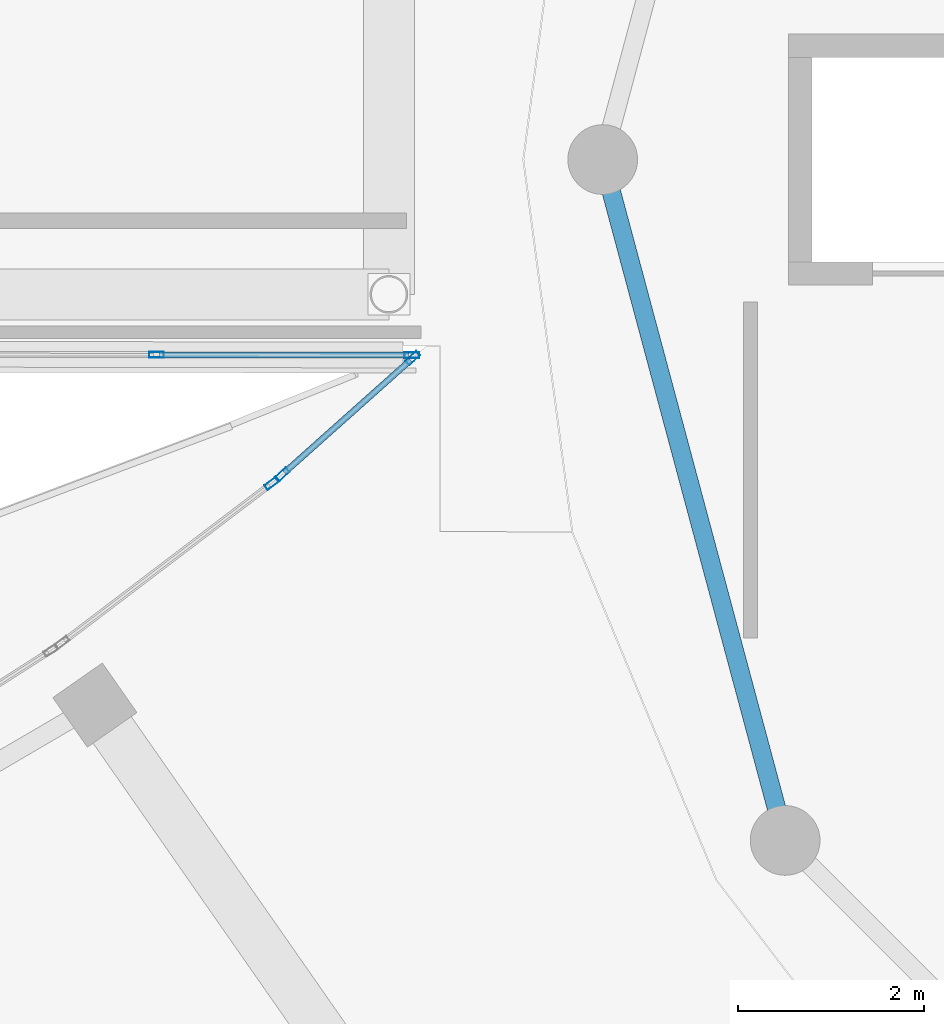
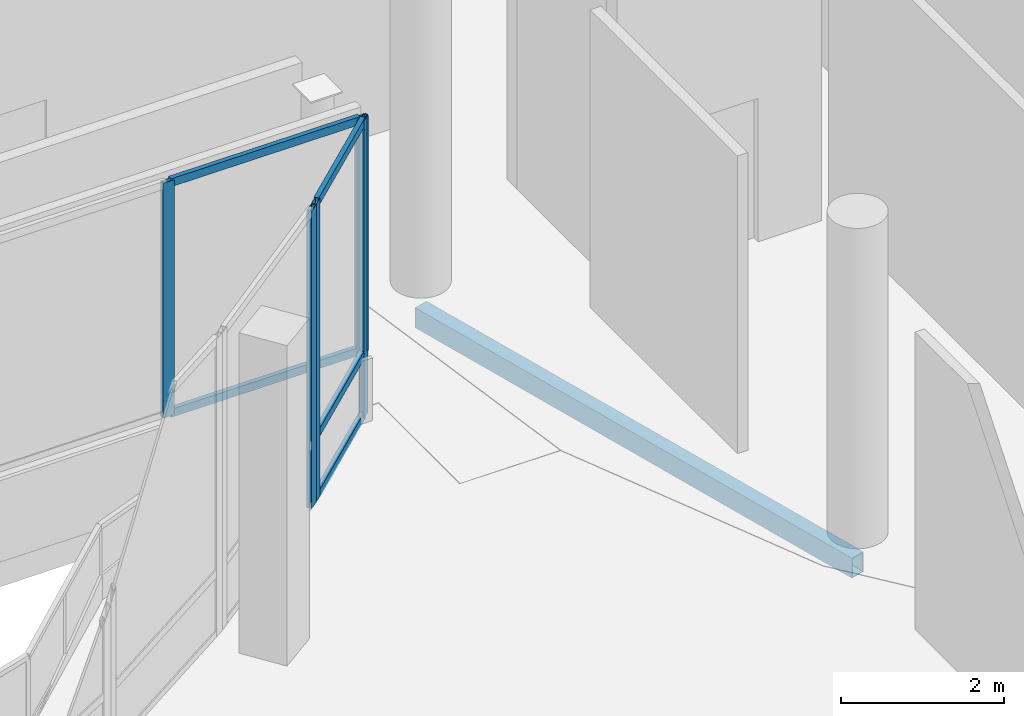
# One storey, part 46 of 155: 10 members, 1 beam, 3 elements without a shape of their own.
"""IFC4 building model written with IfcOpenShell, lengths in metres."""

import ifcopenshell
import ifcopenshell.guid

model = None  # the IFC model being written
_history = None  # IfcOwnerHistory: only IFC2X3 demands one
_inside = {}  # id of a spatial element -> (the spatial element, [elements in it])
_under = {}  # id of a project, library or spatial element -> (it, [spatial elements below it])
_declared = {}  # id of a project -> (the project, [libraries it declares])
_typed = {}  # id of a type object -> (the type object, [elements of that type])
_made_of = {}  # id of a material, layer set ... -> (it, [elements and type objects made of it])


def new_model(schema):
    """Start an empty IFC model of exactly this schema.

    Asked for "IFC4X3", IfcOpenShell would pick the latest addendum, in which some entities
    have other attributes; the version numbers below select the first issue.
    IFC2X3 requires an IfcOwnerHistory on every rooted entity: one is made here for all.
    """
    global model, _history
    if schema == "IFC4X3":
        model = ifcopenshell.file(schema_version=(4, 3, 0, 0))
    else:
        model = ifcopenshell.file(schema=schema)
    _inside.clear()
    _under.clear()
    _declared.clear()
    _typed.clear()
    _made_of.clear()
    _history = None
    if model.schema == "IFC2X3":
        org = make("IfcOrganization", Name="unknown")
        user = make(
            "IfcPersonAndOrganization",
            ThePerson=make("IfcPerson", FamilyName="unknown"),
            TheOrganization=org,
        )
        app = make(
            "IfcApplication",
            ApplicationDeveloper=org,
            Version="unknown",
            ApplicationFullName="unknown",
            ApplicationIdentifier="unknown",
        )
        _history = make(
            "IfcOwnerHistory",
            OwningUser=user,
            OwningApplication=app,
            ChangeAction="ADDED",
            CreationDate=0,
        )
    return model


def make(cls, **values):
    """One entity of the class cls with the attributes given. An attribute that is None is left unset."""
    return model.create_entity(
        cls, **{name: value for name, value in values.items() if value is not None}
    )


def rooted(cls, **values):
    """An entity with a GlobalId (a new one), such as an element, a storey or a relation."""
    return make(cls, GlobalId=ifcopenshell.guid.new(), OwnerHistory=_history, **values)


def si_unit(unit_type, name, prefix=None):
    """IfcSIUnit, for example si_unit("LENGTHUNIT", "METRE", prefix="MILLI")."""
    return make("IfcSIUnit", UnitType=unit_type, Prefix=prefix, Name=name)


def assignment(units):
    """IfcUnitAssignment: the units of a project."""
    return None if units is None else make("IfcUnitAssignment", Units=units)


def point(xyz):
    """IfcCartesianPoint."""
    return None if xyz is None else make("IfcCartesianPoint", Coordinates=xyz)


def direction(xyz):
    """IfcDirection."""
    return None if xyz is None else make("IfcDirection", DirectionRatios=xyz)


def frame(location, z_axis=None, x_axis=None):
    """IfcAxis2Placement3D, a coordinate frame: its origin and axes. An axis left out is left unset."""
    return make(
        "IfcAxis2Placement3D",
        Location=point(location),
        Axis=direction(z_axis),
        RefDirection=direction(x_axis),
    )


def frame_2d(location, x_axis=None):
    """IfcAxis2Placement2D, a coordinate frame in the plane: its origin and x axis."""
    return make(
        "IfcAxis2Placement2D", Location=point(location), RefDirection=direction(x_axis)
    )


def origin():
    """The frame at (0, 0, 0) with its axes left unset."""
    return frame((0.0, 0.0, 0.0))


def origin_2d():
    """The frame at (0, 0) in the plane with its x axis left unset."""
    return frame_2d((0.0, 0.0))


def place(relative_to, where):
    """IfcLocalPlacement: puts the frame where relative to a parent placement (None: the world)."""
    return make(
        "IfcLocalPlacement", PlacementRelTo=relative_to, RelativePlacement=where
    )


def context(
    kind, dimensions, precision=None, world=None, true_north=None, identifier=None
):
    """IfcGeometricRepresentationContext, for example the 3D "Model" context."""
    return make(
        "IfcGeometricRepresentationContext",
        ContextIdentifier=identifier,
        ContextType=kind,
        CoordinateSpaceDimension=dimensions,
        Precision=precision,
        WorldCoordinateSystem=world,
        TrueNorth=true_north,
    )


def subcontext(parent, identifier, kind, view, scale=None):
    """IfcGeometricRepresentationSubContext, for example "Body" below "Model"."""
    return make(
        "IfcGeometricRepresentationSubContext",
        ContextIdentifier=identifier,
        ContextType=kind,
        ParentContext=parent,
        TargetScale=scale,
        TargetView=view,
    )


def project(units=None, contexts=None):
    """IfcProject with its units and contexts."""
    return rooted(
        "IfcProject",
        Name="project",
        RepresentationContexts=contexts,
        UnitsInContext=assignment(units),
    )


def spatial(cls, under=None, at=None, **own):
    """A site, building, storey or space (cls), placed at a placement, below another one or the project."""
    s = rooted(cls, ObjectPlacement=at, **own)
    if under is not None:
        _under.setdefault(under.id(), (under, []))[1].append(s)
    return s


def profile(cls, at=None, kind="AREA", **sizes):
    """A parametric profile (cls). Its sizes go by their IFC names, for example OverallWidth=200.0."""
    return make(cls, ProfileType=kind, Position=at, **sizes)


def hollow_rectangle(**sizes):
    """IfcRectangleHollowProfileDef."""
    return profile("IfcRectangleHollowProfileDef", **sizes)


def extrude(swept, where, along, depth):
    """IfcExtrudedAreaSolid: the profile swept, set in the frame where, extruded along a direction by depth."""
    return make(
        "IfcExtrudedAreaSolid",
        SweptArea=swept,
        Position=where,
        ExtrudedDirection=direction(along),
        Depth=depth,
    )


def shape(context_of_items, identifier, shape_type, items):
    """IfcShapeRepresentation: the items that make up one representation, for example the "Body"."""
    return make(
        "IfcShapeRepresentation",
        ContextOfItems=context_of_items,
        RepresentationIdentifier=identifier,
        RepresentationType=shape_type,
        Items=items,
    )


def material(Name=None, Category=None):
    """IfcMaterial."""
    return make("IfcMaterial", Name=Name, Category=Category)


def material_profile(
    of_material, cross_section, Name=None, Category=None, Priority=None
):
    """IfcMaterialProfile: a cross section and its material."""
    return make(
        "IfcMaterialProfile",
        Name=Name,
        Material=of_material,
        Profile=cross_section,
        Priority=Priority,
        Category=Category,
    )


def profile_set(profiles, Name=None, composite=None):
    """IfcMaterialProfileSet."""
    return make(
        "IfcMaterialProfileSet",
        Name=Name,
        MaterialProfiles=profiles,
        CompositeProfile=composite,
    )


def made_of(thing, what):
    """Note that an element or type object is made of a material, layer set ...; save() writes the relation."""
    if what is not None:
        _made_of.setdefault(what.id(), (what, []))[1].append(thing)
    return thing


def type_object(cls, material=None, **own):
    """A type object (cls), such as IfcWallType, which elements share."""
    return made_of(rooted(cls, **own), material)


def element(
    cls,
    number,
    at=None,
    inside=None,
    cuts=None,
    type_object=None,
    material=None,
    context=None,
    identifier="Body",
    shape_type=None,
    held_by="IfcProductDefinitionShape",
    body=None,
    shapes=None,
    **own,
):
    """One element of the class cls, such as IfcWall. Its Tag is "e" and its number.

    at: its placement. inside: the storey or other place that contains it. cuts: it is an
    opening in that element (IfcRelVoidsElement). A single representation is given by context,
    identifier, shape_type and body (its items); several are given by shapes. held_by: the class
    of the entity that holds the representations. save() writes the other relations.
    """
    e = rooted(cls, Tag="e%d" % number, ObjectPlacement=at, **own)
    if body is not None:
        shapes = [shape(context, identifier, shape_type, body)]
    if shapes is not None:
        e.Representation = make(held_by, Representations=shapes)
    if inside is not None:
        _inside.setdefault(inside.id(), (inside, []))[1].append(e)
    if cuts is not None:
        rooted(
            "IfcRelVoidsElement", RelatingBuildingElement=cuts, RelatedOpeningElement=e
        )
    if type_object is not None:
        _typed.setdefault(type_object.id(), (type_object, []))[1].append(e)
    return made_of(e, material)


def aggregate(whole, parts):
    """IfcRelAggregates: a whole, such as a stair, and the parts it consists of."""
    return rooted("IfcRelAggregates", RelatingObject=whole, RelatedObjects=parts)


def save(model, path):
    """Write the relations noted so far, then the file.

    IfcRelAggregates (storeys below a building ...), IfcRelContainedInSpatialStructure (elements
    in a storey), IfcRelDefinesByType, IfcRelAssociatesMaterial and IfcRelDeclares: one each for
    every whole, place, type object, material and project.
    """
    for whole, parts in _under.values():
        aggregate(whole, parts)
    for where, things in _inside.values():
        rooted(
            "IfcRelContainedInSpatialStructure",
            RelatedElements=things,
            RelatingStructure=where,
        )
    for kind, things in _typed.values():
        rooted("IfcRelDefinesByType", RelatedObjects=things, RelatingType=kind)
    for what, things in _made_of.values():
        rooted("IfcRelAssociatesMaterial", RelatedObjects=things, RelatingMaterial=what)
    for by, libraries in _declared.values():
        rooted("IfcRelDeclares", RelatingContext=by, RelatedDefinitions=libraries)
    model.write(path)


model = new_model("IFC4")

# Units and contexts
model_context = context("Model", 3, precision=1e-05, world=origin(), true_north=direction((0.0, 1.0)))
body_context = subcontext(model_context, "Body", "Model", "MODEL_VIEW")
ifc_project = project(units=[si_unit("LENGTHUNIT", "METRE"), si_unit("AREAUNIT", "SQUARE_METRE"), si_unit("VOLUMEUNIT", "CUBIC_METRE"), si_unit("PLANEANGLEUNIT", "RADIAN"), si_unit("MASSUNIT", "GRAM", prefix="KILO")], contexts=[model_context])

# Site, building, storey
site_placement = place(None, origin())
site = spatial("IfcSite", under=ifc_project, at=site_placement, CompositionType="ELEMENT")
building_placement = place(site_placement, origin())
building = spatial("IfcBuilding", under=site, at=building_placement, Name="Selatvlak General Hospital", CompositionType="ELEMENT")
storey_placement = place(building_placement, frame((0.0, 0.0, 10.199951171875)))
storey = spatial("IfcBuildingStorey", under=building, at=storey_placement, Name="L02", CompositionType="ELEMENT", Elevation=10.199951171875)

# Beam
ifc_material_1 = material(Name="Steel S355", Category="steel")
ifc_material_profile_1 = material_profile(ifc_material_1, hollow_rectangle(XDim=0.199951171875, YDim=0.300048828125, WallThickness=0.011962890625, at=origin_2d()), Name="RHS 300x200x12")
ifc_profile_set_1 = profile_set([ifc_material_profile_1], Name="Steel S355")
beam_type = type_object("IfcBeamType", Name="BM-SP3", PredefinedType="SPANDREL", material=ifc_profile_set_1)
beam_placement = place(storey_placement, frame((83.35009765625, 54.0, -0.5048828125), z_axis=(0.25884068345, -0.965920028052, 0.0), x_axis=(0.965920028052, 0.25884068345, 0.0)))
element("IfcBeam", 1, at=beam_placement, inside=storey, type_object=beam_type, Name="Beam BMR-L02-1105", PredefinedType="SPANDREL", context=body_context, shape_type="SweptSolid", body=[
    extrude(hollow_rectangle(XDim=0.199951171875, YDim=0.300048828125, WallThickness=0.011962890625, at=origin_2d()), origin(), (0.0, 0.0, 1.0), 7.58349609375),
])

# Curtain wall, member
ifc_material_2 = material(Name="Solar-control Low-E double glazing", Category="glass")
curtain_wall_type_1 = type_object("IfcCurtainWallType", Name="CW-CW-01", PredefinedType="USERDEFINED", material=ifc_material_2)
curtain_wall_1_placement = place(storey_placement, origin())
curtain_wall_1 = element("IfcCurtainWall", 2, at=curtain_wall_1_placement, inside=storey, type_object=curtain_wall_type_1, Name="Glazed facade curtain wall CW-L02-0337", ObjectType="UNITISED CURTAIN WALL", PredefinedType="USERDEFINED")
ifc_material_3 = material(Name="Dark anodised aluminium mullion", Category="aluminium")
ifc_material_profile_2 = material_profile(ifc_material_3, hollow_rectangle(XDim=0.06494140625, YDim=0.159912109375, WallThickness=0.00390625, at=origin_2d()), Name="AL-MUL 65x160x4")
ifc_profile_set_2 = profile_set([ifc_material_profile_2], Name="Dark anodised aluminium mullion")
member_type_1 = type_object("IfcMemberType", Name="CWM-01", PredefinedType="MULLION", material=ifc_profile_set_2)
member_1_placement = place(storey_placement, frame((79.7919921875, 50.517333984375, 0.0), z_axis=(0.0, 0.0, 1.0), x_axis=(-0.604514782215, 0.796593922952, 0.0)))
member_1 = element("IfcMember", 3, at=member_1_placement, type_object=member_type_1, Name="CW-01 mullion 2", PredefinedType="MULLION", context=body_context, shape_type="SweptSolid", body=[
    extrude(hollow_rectangle(XDim=0.06494140625, YDim=0.159912109375, WallThickness=0.00390625, at=origin_2d()), origin(), (0.0, 0.0, 1.0), 4.4599609375),
])
aggregate(curtain_wall_1, [member_1])

# Curtain wall, members
curtain_wall_type_2 = type_object("IfcCurtainWallType", Name="CW-CW-02", PredefinedType="USERDEFINED", material=ifc_material_2)
curtain_wall_2_placement = place(storey_placement, origin())
curtain_wall_2 = element("IfcCurtainWall", 4, at=curtain_wall_2_placement, inside=storey, type_object=curtain_wall_type_2, Name="Glazed facade curtain wall CW-L02-0338", ObjectType="UNITISED CURTAIN WALL", PredefinedType="USERDEFINED")
member_2_placement = place(storey_placement, frame((79.90234375, 50.610595703125, 0.0), z_axis=(0.0, 0.0, 1.0), x_axis=(-0.665638040566, 0.746274747631, 0.0)))
member_2 = element("IfcMember", 5, at=member_2_placement, type_object=member_type_1, Name="CW-02 mullion 1", PredefinedType="MULLION", context=body_context, shape_type="SweptSolid", body=[
    extrude(hollow_rectangle(XDim=0.06494140625, YDim=0.159912109375, WallThickness=0.00390625, at=origin_2d()), origin(), (0.0, 0.0, 1.0), 4.4599609375),
])
member_3_placement = place(storey_placement, frame((81.306640625, 51.86328125, 0.0), z_axis=(0.0, 0.0, 1.0), x_axis=(-0.665638040566, 0.746274747631, 0.0)))
member_3 = element("IfcMember", 6, at=member_3_placement, type_object=member_type_1, Name="CW-02 mullion 2", PredefinedType="MULLION", context=body_context, shape_type="SweptSolid", body=[
    extrude(hollow_rectangle(XDim=0.06494140625, YDim=0.159912109375, WallThickness=0.00390625, at=origin_2d()), origin(), (0.0, 0.0, 1.0), 4.4599609375),
])

curtain_wall_3_placement = place(storey_placement, origin())
curtain_wall_3 = element("IfcCurtainWall", 7, at=curtain_wall_3_placement, inside=storey, type_object=curtain_wall_type_2, Name="Glazed facade curtain wall CW-L02-0339", ObjectType="UNITISED CURTAIN WALL", PredefinedType="USERDEFINED")
member_4_placement = place(storey_placement, frame((81.29443359375, 51.89501953125, 0.93994140625), z_axis=(0.0, 0.0, 1.0), x_axis=(-0.001800285137, -0.999998379485, 0.0)))
member_4 = element("IfcMember", 8, at=member_4_placement, type_object=member_type_1, Name="CW-02 mullion 1", PredefinedType="MULLION", context=body_context, shape_type="SweptSolid", body=[
    extrude(hollow_rectangle(XDim=0.06494140625, YDim=0.159912109375, WallThickness=0.00390625, at=origin_2d()), origin(), (0.0, 0.0, 1.0), 3.52001953125),
])
member_5_placement = place(storey_placement, frame((78.549560546875, 51.89990234375, 0.93994140625), z_axis=(0.0, 0.0, 1.0), x_axis=(-0.001800285137, -0.999998379485, 0.0)))
member_5 = element("IfcMember", 9, at=member_5_placement, type_object=member_type_1, Name="CW-02 mullion 2", PredefinedType="MULLION", context=body_context, shape_type="SweptSolid", body=[
    extrude(hollow_rectangle(XDim=0.06494140625, YDim=0.159912109375, WallThickness=0.00390625, at=origin_2d()), origin(), (0.0, 0.0, 1.0), 3.52001953125),
])

# Member
ifc_material_profile_3 = material_profile(ifc_material_3, hollow_rectangle(XDim=0.06494140625, YDim=0.1201171875, WallThickness=0.00390625, at=origin_2d()), Name="AL-TRN 65x120x4")
ifc_profile_set_3 = profile_set([ifc_material_profile_3], Name="Dark anodised aluminium mullion")
member_type_2 = type_object("IfcMemberType", Name="CWT-01", PredefinedType="USERDEFINED", material=ifc_profile_set_3)
member_6_placement = place(storey_placement, frame((79.926513671875, 50.63232421875, 0.032470703125), z_axis=(0.746266570854, 0.66564720778, 0.0), x_axis=(-0.66564720778, 0.746266570854, 0.0)))
member_6 = element("IfcMember", 10, at=member_6_placement, type_object=member_type_2, Name="CW-02 transom 1.1", ObjectType="TRANSOM", PredefinedType="USERDEFINED", context=body_context, shape_type="SweptSolid", body=[
    extrude(hollow_rectangle(XDim=0.06494140625, YDim=0.1201171875, WallThickness=0.00390625, at=origin_2d()), origin(), (0.0, 0.0, 1.0), 1.81689453125),
])

member_7_placement = place(storey_placement, frame((79.926513671875, 50.63232421875, 0.949951171875), z_axis=(0.746266570854, 0.66564720778, 0.0), x_axis=(-0.66564720778, 0.746266570854, 0.0)))
member_7 = element("IfcMember", 11, at=member_7_placement, type_object=member_type_2, Name="CW-02 transom 1.2", ObjectType="TRANSOM", PredefinedType="USERDEFINED", context=body_context, shape_type="SweptSolid", body=[
    extrude(hollow_rectangle(XDim=0.06494140625, YDim=0.1201171875, WallThickness=0.00390625, at=origin_2d()), origin(), (0.0, 0.0, 1.0), 1.81689453125),
])

member_8_placement = place(storey_placement, frame((79.926513671875, 50.63232421875, 4.427490234375), z_axis=(0.746266570854, 0.66564720778, 0.0), x_axis=(-0.66564720778, 0.746266570854, 0.0)))
member_8 = element("IfcMember", 12, at=member_8_placement, type_object=member_type_2, Name="CW-02 transom 1.3", ObjectType="TRANSOM", PredefinedType="USERDEFINED", context=body_context, shape_type="SweptSolid", body=[
    extrude(hollow_rectangle(XDim=0.06494140625, YDim=0.1201171875, WallThickness=0.00390625, at=origin_2d()), origin(), (0.0, 0.0, 1.0), 1.81689453125),
])

aggregate(curtain_wall_2, [member_2, member_3, member_6, member_7, member_8])

member_9_placement = place(storey_placement, frame((81.261962890625, 51.89501953125, 0.97265625), z_axis=(-0.999998339875, 0.001822154409, 0.0), x_axis=(-0.001822154409, -0.999998339875, 0.0)))
member_9 = element("IfcMember", 13, at=member_9_placement, type_object=member_type_2, Name="CW-02 transom 1.1", ObjectType="TRANSOM", PredefinedType="USERDEFINED", context=body_context, shape_type="SweptSolid", body=[
    extrude(hollow_rectangle(XDim=0.06494140625, YDim=0.1201171875, WallThickness=0.00390625, at=origin_2d()), origin(), (0.0, 0.0, 1.0), 2.6796875),
])

member_10_placement = place(storey_placement, frame((81.261962890625, 51.89501953125, 4.427490234375), z_axis=(-0.999998339875, 0.001822154409, 0.0), x_axis=(-0.001822154409, -0.999998339875, 0.0)))
member_10 = element("IfcMember", 14, at=member_10_placement, type_object=member_type_2, Name="CW-02 transom 1.2", ObjectType="TRANSOM", PredefinedType="USERDEFINED", context=body_context, shape_type="SweptSolid", body=[
    extrude(hollow_rectangle(XDim=0.06494140625, YDim=0.1201171875, WallThickness=0.00390625, at=origin_2d()), origin(), (0.0, 0.0, 1.0), 2.6796875),
])

aggregate(curtain_wall_3, [member_4, member_5, member_9, member_10])

save(model, "model.ifc")
